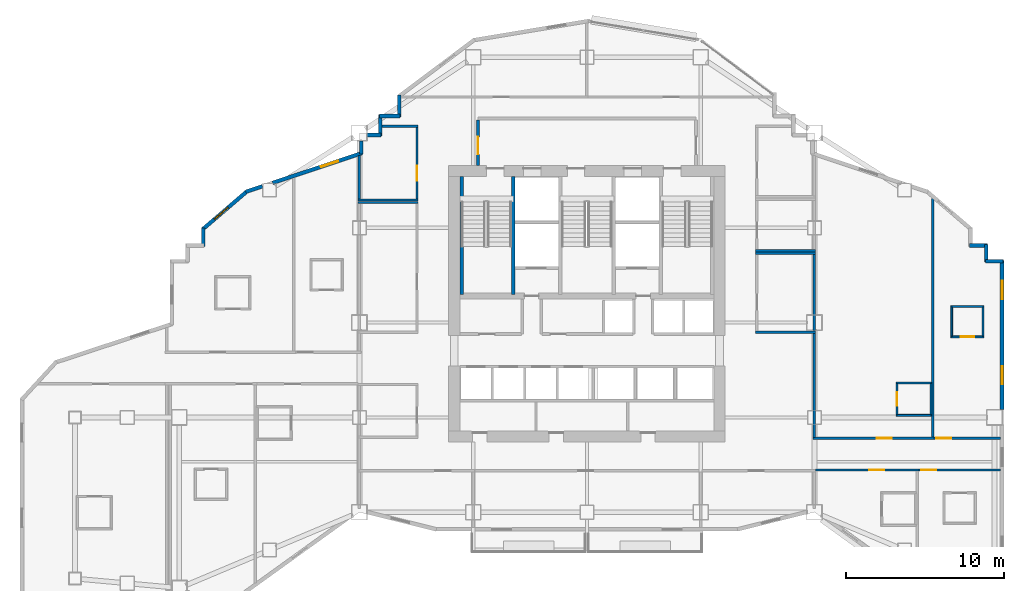
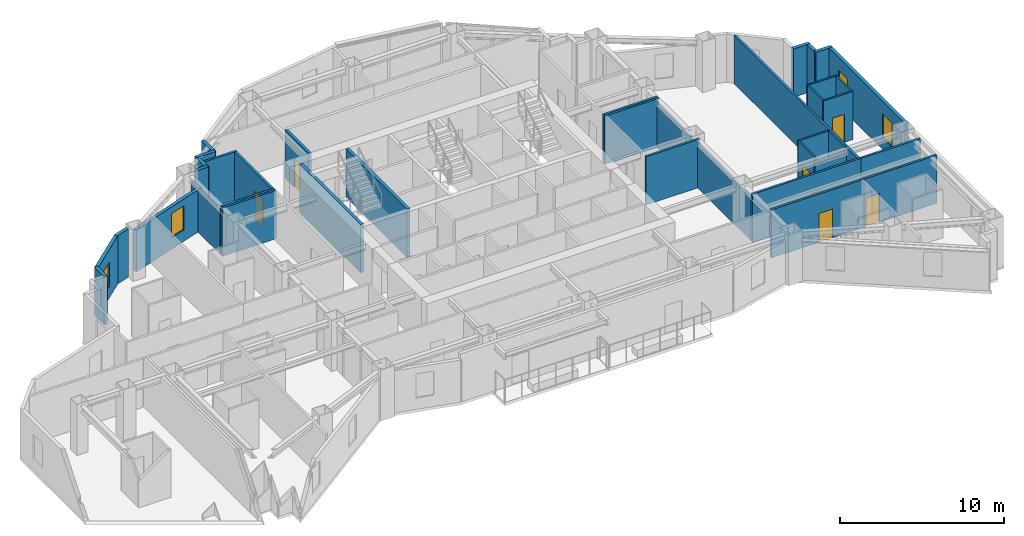
# One storey, part 8 of 14: 39 walls, 8 doors, 4 windows, 12 openings.
"""IFC4 building model written with IfcOpenShell, lengths in metres."""

from ifc_helpers import new_model, si_unit, direction, frame, frame_2d, origin, place, context, subcontext, project, spatial, rectangle, extrude, material, layer, layer_set, type_object, element, fill, save


model = new_model("IFC4")

# Units and contexts
model_context = context("Model", 3, precision=1e-05, world=origin(), true_north=direction((0.0, 1.0)))
body_context = subcontext(model_context, "Body", "Model", "MODEL_VIEW")
ifc_project = project(units=[si_unit("LENGTHUNIT", "METRE"), si_unit("AREAUNIT", "SQUARE_METRE"), si_unit("VOLUMEUNIT", "CUBIC_METRE"), si_unit("PLANEANGLEUNIT", "RADIAN"), si_unit("MASSUNIT", "GRAM", prefix="KILO")], contexts=[model_context])

# Site, building, storey
site_placement = place(None, origin())
site = spatial("IfcSite", under=ifc_project, at=site_placement, CompositionType="ELEMENT")
building_placement = place(site_placement, origin())
building = spatial("IfcBuilding", under=site, at=building_placement, Name="Haolan Belvedere Tower", CompositionType="ELEMENT")
storey_placement = place(building_placement, frame((0.0, 0.0, 109.800048828125)))
storey = spatial("IfcBuildingStorey", under=building, at=storey_placement, Name="L27", CompositionType="ELEMENT", Elevation=109.800048828125)

# Wall, openings, windows
ifc_material_1 = material(Name="Precast concrete C40/50", Category="concrete")
ifc_layer_1 = layer(ifc_material_1, 0.239990234375, Name="Precast concrete C40/50")
ifc_layer_set_1 = layer_set([ifc_layer_1], Name="Precast concrete C40/50")
wall_type_1 = type_object("IfcWallType", Name="WL-EXT-240", PredefinedType="SOLIDWALL", material=ifc_layer_set_1)
wall_1_placement = place(storey_placement, frame((64.679931640625, 28.092041015625, 0.0), z_axis=(0.0, 0.0, 1.0), x_axis=(0.0, 1.0, 0.0)))
wall_1 = element("IfcWall", 1, at=wall_1_placement, inside=storey, type_object=wall_type_1, Name="L27 pale-metal exterior spandrel wall 14.2", PredefinedType="SOLIDWALL", context=body_context, shape_type="SweptSolid", body=[
    extrude(rectangle(XDim=9.44287109375, YDim=0.239990234375, at=frame_2d((4.721435546875, 0.0))), origin(), (0.0, 0.0, 1.0), 3.599853515625),
])
opening_1_placement = place(wall_1_placement, frame((1.60009765625, 0.0, 0.85009765625)))
opening_1 = element("IfcOpeningElement", 2, at=opening_1_placement, cuts=wall_1, Name="Opening W-02", PredefinedType="OPENING", context=body_context, shape_type="SweptSolid", body=[
    extrude(rectangle(XDim=1.14990234375, YDim=1.800048828125, at=frame_2d((0.574951171875, 0.89990234375))), frame((0.0, 0.1298828125, 0.0), z_axis=(0.0, -1.0, 0.0), x_axis=(1.0, 0.0, 0.0)), (0.0, 0.0, 1.0), 0.260009765625),
])
opening_2_placement = place(wall_1_placement, frame((7.0, 0.0, 0.85009765625)))
opening_2 = element("IfcOpeningElement", 3, at=opening_2_placement, cuts=wall_1, Name="Opening W-02", PredefinedType="OPENING", context=body_context, shape_type="SweptSolid", body=[
    extrude(rectangle(XDim=1.14990234375, YDim=1.800048828125, at=frame_2d((0.574951171875, 0.89990234375))), frame((0.0, 0.1298828125, 0.0), z_axis=(0.0, -1.0, 0.0), x_axis=(1.0, 0.0, 0.0)), (0.0, 0.0, 1.0), 0.260009765625),
])
ifc_material_2 = material(Name="Anodised aluminium 6063-T6 and Low-E glass", Category="aluminium")
window_type = type_object("IfcWindowType", Name="WN-DECO-Z2", PartitioningType="SINGLE_PANEL", PredefinedType="WINDOW", material=ifc_material_2)
window_1_placement = place(opening_1_placement, origin())
window_1 = element("IfcWindow", 4, at=window_1_placement, inside=storey, type_object=window_type, Name="L27 Art Deco chevron window 1", OverallHeight=1.800048828125, OverallWidth=1.14990234375, PartitioningType="SINGLE_PANEL", PredefinedType="WINDOW", context=body_context, shape_type="SweptSolid", body=[
    extrude(rectangle(XDim=1.14990234375, YDim=1.800048828125, at=frame_2d((0.574951171875, 0.89990234375))), frame((0.0, 0.030029296875, 0.0), z_axis=(0.0, -1.0, 0.0), x_axis=(1.0, 0.0, 0.0)), (0.0, 0.0, 1.0), 0.06005859375),
])
fill(opening_1, window_1)
window_2_placement = place(opening_2_placement, origin())
window_2 = element("IfcWindow", 5, at=window_2_placement, inside=storey, type_object=window_type, Name="L27 Art Deco chevron window 2", OverallHeight=1.800048828125, OverallWidth=1.14990234375, PartitioningType="SINGLE_PANEL", PredefinedType="WINDOW", context=body_context, shape_type="SweptSolid", body=[
    extrude(rectangle(XDim=1.14990234375, YDim=1.800048828125, at=frame_2d((0.574951171875, 0.89990234375))), frame((0.0, 0.030029296875, 0.0), z_axis=(0.0, -1.0, 0.0), x_axis=(1.0, 0.0, 0.0)), (0.0, 0.0, 1.0), 0.06005859375),
])
fill(opening_2, window_2)

# Walls
wall_2_placement = place(storey_placement, frame((64.735107421875, 37.47998046875, 0.0), z_axis=(0.0, 0.0, 1.0), x_axis=(-1.0, 0.0, 0.0)))
element("IfcWall", 6, at=wall_2_placement, inside=storey, type_object=wall_type_1, Name="L27 pale-metal exterior spandrel wall 15.1", PredefinedType="SOLIDWALL", context=body_context, shape_type="SweptSolid", body=[
    extrude(rectangle(XDim=1.110107421875, YDim=0.239990234375, at=frame_2d((0.55517578125, 0.0))), origin(), (0.0, 0.0, 1.0), 3.599853515625),
])
wall_3_placement = place(storey_placement, frame((63.679931640625, 37.425048828125, 0.0), z_axis=(0.0, 0.0, 1.0), x_axis=(0.0, 1.0, 0.0)))
element("IfcWall", 7, at=wall_3_placement, inside=storey, type_object=wall_type_1, Name="L27 pale-metal exterior spandrel wall 16.1", PredefinedType="SOLIDWALL", context=body_context, shape_type="SweptSolid", body=[
    extrude(rectangle(XDim=1.10986328125, YDim=0.239990234375, at=frame_2d((0.554931640625, 0.0))), origin(), (0.0, 0.0, 1.0), 3.599853515625),
])
wall_4_placement = place(storey_placement, frame((63.735107421875, 38.47998046875, 0.0), z_axis=(0.0, 0.0, 1.0), x_axis=(-1.0, 0.0, 0.0)))
element("IfcWall", 8, at=wall_4_placement, inside=storey, type_object=wall_type_1, Name="L27 pale-metal exterior spandrel wall 17.1", PredefinedType="SOLIDWALL", context=body_context, shape_type="SweptSolid", body=[
    extrude(rectangle(XDim=1.110107421875, YDim=0.239990234375, at=frame_2d((0.55517578125, 0.0))), origin(), (0.0, 0.0, 1.0), 3.599853515625),
])
wall_5_placement = place(storey_placement, frame((26.52001953125, 47.9951171875, 0.0), z_axis=(0.0, 0.0, 1.0), x_axis=(0.0, -1.0, 0.0)))
element("IfcWall", 9, at=wall_5_placement, inside=storey, type_object=wall_type_1, Name="L27 pale-metal exterior spandrel wall 30.1", PredefinedType="SOLIDWALL", context=body_context, shape_type="SweptSolid", body=[
    extrude(rectangle(XDim=1.3701171875, YDim=0.239990234375, at=frame_2d((0.68505859375, 0.0))), origin(), (0.0, 0.0, 1.0), 3.599853515625),
])
for number, where, z_axis, x_axis, name in (
    (10, (26.574951171875, 46.679931640625, 0.0), (0.0, 0.0, 1.0), (-1.0, 0.0, 0.0), "L27 pale-metal exterior spandrel wall 31.1"),
    (11, (25.320068359375, 46.735107421875, 0.0), (0.0, 0.0, 1.0), (0.0, -1.0, 0.0), "L27 pale-metal exterior spandrel wall 32.1"),
):
    element("IfcWall", number, at=place(storey_placement, frame(where, z_axis=z_axis, x_axis=x_axis)), inside=storey, type_object=wall_type_1, Name=name, PredefinedType="SOLIDWALL", context=body_context, shape_type="SweptSolid", body=[
        extrude(rectangle(XDim=1.31005859375, YDim=0.239990234375, at=frame_2d((0.655029296875, 0.0))), origin(), (0.0, 0.0, 1.0), 3.599853515625),
    ])
wall_6_placement = place(storey_placement, frame((25.375, 45.47998046875, 0.0), z_axis=(0.0, 0.0, 1.0), x_axis=(-1.0, 0.0, 0.0)))
element("IfcWall", 12, at=wall_6_placement, inside=storey, type_object=wall_type_1, Name="L27 pale-metal exterior spandrel wall 33.1", PredefinedType="SOLIDWALL", context=body_context, shape_type="SweptSolid", body=[
    extrude(rectangle(XDim=0.883056640625, YDim=0.239990234375, at=frame_2d((0.44140625, 0.0))), origin(), (0.0, 0.0, 1.0), 3.599853515625),
])
wall_7_placement = place(storey_placement, frame((24.1201171875, 45.10791015625, 0.0), z_axis=(0.0, 0.0, 1.0), x_axis=(0.0, -1.0, 0.0)))
element("IfcWall", 13, at=wall_7_placement, inside=storey, type_object=wall_type_1, Name="L27 pale-metal exterior spandrel wall 34.1", PredefinedType="SOLIDWALL", context=body_context, shape_type="SweptSolid", body=[
    extrude(rectangle(XDim=0.849365234375, YDim=0.239990234375, at=frame_2d((0.4248046875, 0.0))), origin(), (0.0, 0.0, 1.0), 3.14501953125),
])

# Wall, opening, window
wall_8_placement = place(storey_placement, frame((24.172119140625, 44.330810546875, 0.0), z_axis=(0.0, 0.0, 1.0), x_axis=(-0.948683298051, -0.316227766017, 0.0)))
wall_8 = element("IfcWall", 14, at=wall_8_placement, inside=storey, type_object=wall_type_1, Name="L27 pale-metal exterior spandrel wall 35.1", PredefinedType="SOLIDWALL", context=body_context, shape_type="SweptSolid", body=[
    extrude(rectangle(XDim=5.973388671875, YDim=0.239990234375, at=frame_2d((2.98681640625, 0.0))), origin(), (0.0, 0.0, 1.0), 3.14501953125),
])
opening_3_placement = place(wall_8_placement, frame((1.60009765625, 0.0, 0.85009765625)))
opening_3 = element("IfcOpeningElement", 15, at=opening_3_placement, cuts=wall_8, Name="Opening W-02", PredefinedType="OPENING", context=body_context, shape_type="SweptSolid", body=[
    extrude(rectangle(XDim=1.14990234375, YDim=1.800048828125, at=frame_2d((0.574951171875, 0.89990234375))), frame((0.0, 0.1298828125, 0.0), z_axis=(0.0, -1.0, 0.0), x_axis=(1.0, 0.0, 0.0)), (0.0, 0.0, 1.0), 0.260009765625),
])
window_3_placement = place(opening_3_placement, origin())
window_3 = element("IfcWindow", 16, at=window_3_placement, inside=storey, type_object=window_type, Name="L27 Art Deco chevron window 1", OverallHeight=1.800048828125, OverallWidth=1.14990234375, PartitioningType="SINGLE_PANEL", PredefinedType="WINDOW", context=body_context, shape_type="SweptSolid", body=[
    extrude(rectangle(XDim=1.14990234375, YDim=1.800048828125, at=frame_2d((0.574951171875, 0.89990234375))), frame((0.0, 0.030029296875, 0.0), z_axis=(0.0, -1.0, 0.0), x_axis=(1.0, 0.0, 0.0)), (0.0, 0.0, 1.0), 0.06005859375),
])
fill(opening_3, window_3)

# Wall
wall_9_placement = place(storey_placement, frame((17.85791015625, 42.226318359375, 0.0), z_axis=(0.0, 0.0, 1.0), x_axis=(-0.948639166064, -0.316360131194, 0.0)))
element("IfcWall", 17, at=wall_9_placement, inside=storey, type_object=wall_type_1, Name="L27 pale-metal exterior spandrel wall 35.2", PredefinedType="SOLIDWALL", context=body_context, shape_type="SweptSolid", body=[
    extrude(rectangle(XDim=1.106689453125, YDim=0.239990234375, at=frame_2d((0.55322265625, 0.0))), origin(), (0.0, 0.0, 1.0), 3.599853515625),
])

# Wall, opening, window
wall_10_placement = place(storey_placement, frame((16.902099609375, 41.929443359375, 0.0), z_axis=(0.0, 0.0, 1.0), x_axis=(-0.759275136126, -0.650769750112, 0.0)))
wall_10 = element("IfcWall", 18, at=wall_10_placement, inside=storey, type_object=wall_type_1, Name="L27 pale-metal exterior spandrel wall 36.1", PredefinedType="SOLIDWALL", context=body_context, shape_type="SweptSolid", body=[
    extrude(rectangle(XDim=3.71923828125, YDim=0.239990234375, at=frame_2d((1.859619140625, 0.0))), origin(), (0.0, 0.0, 1.0), 3.599853515625),
])
opening_4_placement = place(wall_10_placement, frame((1.60009765625, 0.0, 0.85009765625)))
opening_4 = element("IfcOpeningElement", 19, at=opening_4_placement, cuts=wall_10, Name="Opening W-02", PredefinedType="OPENING", context=body_context, shape_type="SweptSolid", body=[
    extrude(rectangle(XDim=1.14990234375, YDim=1.800048828125, at=frame_2d((0.574951171875, 0.89990234375))), frame((0.0, 0.1298828125, 0.0), z_axis=(0.0, -1.0, 0.0), x_axis=(1.0, 0.0, 0.0)), (0.0, 0.0, 1.0), 0.260009765625),
])
window_4_placement = place(opening_4_placement, origin())
window_4 = element("IfcWindow", 20, at=window_4_placement, inside=storey, type_object=window_type, Name="L27 Art Deco chevron window 1", OverallHeight=1.800048828125, OverallWidth=1.14990234375, PartitioningType="SINGLE_PANEL", PredefinedType="WINDOW", context=body_context, shape_type="SweptSolid", body=[
    extrude(rectangle(XDim=1.14990234375, YDim=1.800048828125, at=frame_2d((0.574951171875, 0.89990234375))), frame((0.0, 0.030029296875, 0.0), z_axis=(0.0, -1.0, 0.0), x_axis=(1.0, 0.0, 0.0)), (0.0, 0.0, 1.0), 0.06005859375),
])
fill(opening_4, window_4)

# Wall
wall_11_placement = place(storey_placement, frame((14.1201171875, 39.599853515625, 0.0), z_axis=(0.0, 0.0, 1.0), x_axis=(0.0, -1.0, 0.0)))
element("IfcWall", 21, at=wall_11_placement, inside=storey, type_object=wall_type_1, Name="L27 pale-metal exterior spandrel wall 37.1", PredefinedType="SOLIDWALL", context=body_context, shape_type="SweptSolid", body=[
    extrude(rectangle(XDim=1.1748046875, YDim=0.239990234375, at=frame_2d((0.58740234375, 0.0))), origin(), (0.0, 0.0, 1.0), 3.599853515625),
])

# Wall, opening, door
ifc_material_3 = material(Name="Concrete C40/50", Category="concrete")
ifc_layer_2 = layer(ifc_material_3, 0.199951171875, Name="Concrete C40/50")
ifc_layer_set_2 = layer_set([ifc_layer_2], Name="Concrete C40/50")
wall_type_2 = type_object("IfcWallType", Name="WL-FIRE-200", PredefinedType="SOLIDWALL", material=ifc_layer_set_2)
wall_12_placement = place(storey_placement, frame((31.5, 43.550048828125, 0.0), z_axis=(0.0, 0.0, 1.0), x_axis=(0.0, 1.0, 0.0)))
wall_12 = element("IfcWall", 22, at=wall_12_placement, inside=storey, type_object=wall_type_2, Name="L27 interior partition IW-L27-FFL-W", PredefinedType="SOLIDWALL", context=body_context, shape_type="SweptSolid", body=[
    extrude(rectangle(XDim=2.885009765625, YDim=0.199951171875, at=frame_2d((1.4423828125, 0.0))), origin(), (0.0, 0.0, 1.0), 3.599853515625),
])
opening_5_placement = place(wall_12_placement, frame((1.800048828125, 0.0, 0.0), z_axis=(0.0, 0.0, 1.0), x_axis=(-1.0, 0.0, 0.0)))
opening_5 = element("IfcOpeningElement", 23, at=opening_5_placement, cuts=wall_12, Name="Opening FD-03", PredefinedType="OPENING", context=body_context, shape_type="SweptSolid", body=[
    extrude(rectangle(XDim=1.10009765625, YDim=2.14990234375, at=frame_2d((0.550048828125, 1.074951171875))), frame((0.0, 0.10986328125, 0.0), z_axis=(0.0, -1.0, 0.0), x_axis=(1.0, 0.0, 0.0)), (0.0, 0.0, 1.0), 0.219970703125),
])
ifc_material_4 = material(Name="Galvanised fire-rated steel", Category="steel")
door_type_1 = type_object("IfcDoorType", Name="DR-FD90-1100", OperationType="NOTDEFINED", PredefinedType="DOOR", material=ifc_material_4)
door_1_placement = place(opening_5_placement, origin())
door_1 = element("IfcDoor", 24, at=door_1_placement, inside=storey, type_object=door_type_1, Name="L27 door ID-L27-FFL-DW", OperationType="SINGLE_SWING_LEFT", OverallHeight=2.14990234375, OverallWidth=1.10009765625, PredefinedType="DOOR", context=body_context, shape_type="SweptSolid", body=[
    extrude(rectangle(XDim=1.10009765625, YDim=2.14990234375, at=frame_2d((0.550048828125, 1.074951171875))), frame((0.0, 0.02490234375, 0.0), z_axis=(0.0, -1.0, 0.0), x_axis=(1.0, 0.0, 0.0)), (0.0, 0.0, 1.0), 0.050048828125),
])
fill(opening_5, door_1)

# Walls
ifc_material_5 = material(Name="Double gypsum acoustic stud partition", Category="masonry")
ifc_layer_3 = layer(ifc_material_5, 0.14990234375, Name="Double gypsum acoustic stud partition")
ifc_layer_set_3 = layer_set([ifc_layer_3], Name="Double gypsum acoustic stud partition")
wall_type_3 = type_object("IfcWallType", Name="WL-PART-150", PredefinedType="PARTITIONING", material=ifc_layer_set_3)
wall_13_placement = place(storey_placement, frame((23.919921875, 41.199951171875, 0.0), z_axis=(0.0, 0.0, 1.0), x_axis=(1.0, 0.0, 0.0)))
element("IfcWall", 25, at=wall_13_placement, inside=storey, type_object=wall_type_3, Name="L27 interior partition IW-L27-SAL-N", PredefinedType="PARTITIONING", context=body_context, shape_type="SweptSolid", body=[
    extrude(rectangle(XDim=3.800048828125, YDim=0.14990234375, at=frame_2d((1.89990234375, 0.0))), origin(), (0.0, 0.0, 1.0), 3.599853515625),
])
wall_14_placement = place(storey_placement, frame((25.425048828125, 46.02001953125, 0.0), z_axis=(0.0, 0.0, 1.0), x_axis=(1.0, 0.0, 0.0)))
element("IfcWall", 26, at=wall_14_placement, inside=storey, type_object=wall_type_3, Name="L27 interior partition IW-L27-HSK-N", PredefinedType="PARTITIONING", context=body_context, shape_type="SweptSolid", body=[
    extrude(rectangle(XDim=2.294921875, YDim=0.14990234375, at=frame_2d((1.1474609375, 0.0))), origin(), (0.0, 0.0, 1.0), 3.599853515625),
])
wall_15_placement = place(storey_placement, frame((23.919921875, 41.360107421875, 0.0), z_axis=(0.0, 0.0, 1.0), x_axis=(1.0, 0.0, 0.0)))
element("IfcWall", 27, at=wall_15_placement, inside=storey, type_object=wall_type_3, Name="L27 interior partition IW-L27-HSK-S", PredefinedType="PARTITIONING", context=body_context, shape_type="SweptSolid", body=[
    extrude(rectangle(XDim=3.800048828125, YDim=0.14990234375, at=frame_2d((1.89990234375, 0.0))), origin(), (0.0, 0.0, 1.0), 3.599853515625),
])
wall_16_placement = place(storey_placement, frame((24.0, 41.419921875, 0.0), z_axis=(0.0, 0.0, 1.0), x_axis=(0.0, 1.0, 0.0)))
element("IfcWall", 28, at=wall_16_placement, inside=storey, type_object=wall_type_3, Name="L27 interior partition IW-L27-HSK-W", PredefinedType="PARTITIONING", context=body_context, shape_type="SweptSolid", body=[
    extrude(rectangle(XDim=2.742919921875, YDim=0.14990234375, at=frame_2d((1.37158203125, 0.0))), origin(), (0.0, 0.0, 1.0), 3.14501953125),
])

# Wall, opening, door
wall_17_placement = place(storey_placement, frame((27.639892578125, 41.419921875, 0.0), z_axis=(0.0, 0.0, 1.0), x_axis=(0.0, 1.0, 0.0)))
wall_17 = element("IfcWall", 29, at=wall_17_placement, inside=storey, type_object=wall_type_3, Name="L27 interior partition IW-L27-HSK-E", PredefinedType="PARTITIONING", context=body_context, shape_type="SweptSolid", body=[
    extrude(rectangle(XDim=4.5400390625, YDim=0.14990234375, at=frame_2d((2.27001953125, 0.0))), origin(), (0.0, 0.0, 1.0), 3.599853515625),
])
opening_6_placement = place(wall_17_placement, frame((2.10986328125, 0.0, 0.0), z_axis=(0.0, 0.0, 1.0), x_axis=(-1.0, 0.0, 0.0)))
opening_6 = element("IfcOpeningElement", 30, at=opening_6_placement, cuts=wall_17, Name="Opening ID-03", PredefinedType="OPENING", context=body_context, shape_type="SweptSolid", body=[
    extrude(rectangle(XDim=0.949951171875, YDim=2.1201171875, at=frame_2d((0.47509765625, 1.06005859375))), frame((0.0, 0.0849609375, 0.0), z_axis=(0.0, -1.0, 0.0), x_axis=(1.0, 0.0, 0.0)), (0.0, 0.0, 1.0), 0.169921875),
])
ifc_material_6 = material(Name="Painted solid-core timber", Category="wood")
door_type_2 = type_object("IfcDoorType", Name="DR-INT-950", OperationType="NOTDEFINED", PredefinedType="DOOR", material=ifc_material_6)
door_2_placement = place(opening_6_placement, origin())
door_2 = element("IfcDoor", 31, at=door_2_placement, inside=storey, type_object=door_type_2, Name="L27 door ID-L27-HSK", OperationType="SINGLE_SWING_RIGHT", OverallHeight=2.1201171875, OverallWidth=0.949951171875, PredefinedType="DOOR", context=body_context, shape_type="SweptSolid", body=[
    extrude(rectangle(XDim=0.949951171875, YDim=2.1201171875, at=frame_2d((0.47509765625, 1.06005859375))), frame((0.0, 0.02490234375, 0.0), z_axis=(0.0, -1.0, 0.0), x_axis=(1.0, 0.0, 0.0)), (0.0, 0.0, 1.0), 0.050048828125),
])
fill(opening_6, door_2)

# Walls
for number, where, z_axis, x_axis, name in (
    (32, (49.080078125, 38.0, 0.0), (0.0, 0.0, 1.0), (1.0, 0.0, 0.0), "L27 interior partition IW-L27-BPN-N"),
    (33, (49.080078125, 33.0, 0.0), (0.0, 0.0, 1.0), (1.0, 0.0, 0.0), "L27 interior partition IW-L27-BPN-S"),
):
    element("IfcWall", number, at=place(storey_placement, frame(where, z_axis=z_axis, x_axis=x_axis)), inside=storey, type_object=wall_type_3, Name=name, PredefinedType="PARTITIONING", context=body_context, shape_type="SweptSolid", body=[
        extrude(rectangle(XDim=3.7998046875, YDim=0.14990234375, at=frame_2d((1.89990234375, 0.0))), origin(), (0.0, 0.0, 1.0), 3.599853515625),
    ])
wall_18_placement = place(storey_placement, frame((52.800048828125, 33.06005859375, 0.0), z_axis=(0.0, 0.0, 1.0), x_axis=(0.0, 1.0, 0.0)))
element("IfcWall", 34, at=wall_18_placement, inside=storey, type_object=wall_type_3, Name="L27 interior partition IW-L27-BPN-E", PredefinedType="PARTITIONING", context=body_context, shape_type="SweptSolid", body=[
    extrude(rectangle(XDim=4.8798828125, YDim=0.14990234375, at=frame_2d((2.43994140625, 0.0))), origin(), (0.0, 0.0, 1.0), 3.14501953125),
])
wall_19_placement = place(storey_placement, frame((49.080078125, 38.159912109375, 0.0), z_axis=(0.0, 0.0, 1.0), x_axis=(1.0, 0.0, 0.0)))
element("IfcWall", 35, at=wall_19_placement, inside=storey, type_object=wall_type_3, Name="L27 interior partition IW-L27-AWC-S", PredefinedType="PARTITIONING", context=body_context, shape_type="SweptSolid", body=[
    extrude(rectangle(XDim=3.7998046875, YDim=0.14990234375, at=frame_2d((1.89990234375, 0.0))), origin(), (0.0, 0.0, 1.0), 3.599853515625),
])

# Wall, opening, door
wall_20_placement = place(storey_placement, frame((52.699951171875, 26.280029296875, 0.0), z_axis=(0.0, 0.0, 1.0), x_axis=(1.0, 0.0, 0.0)))
wall_20 = element("IfcWall", 36, at=wall_20_placement, inside=storey, type_object=wall_type_3, Name="L27 interior partition IW-L27-T4N1-S", PredefinedType="PARTITIONING", context=body_context, shape_type="SweptSolid", body=[
    extrude(rectangle(XDim=7.679931640625, YDim=0.14990234375, at=frame_2d((3.83984375, 0.0))), origin(), (0.0, 0.0, 1.0), 3.599853515625),
])
opening_7_placement = place(wall_20_placement, frame((4.047607421875, 0.0, 0.0)))
opening_7 = element("IfcOpeningElement", 37, at=opening_7_placement, cuts=wall_20, Name="Opening ID-01", PredefinedType="OPENING", context=body_context, shape_type="SweptSolid", body=[
    extrude(rectangle(XDim=0.949951171875, YDim=2.179931640625, at=frame_2d((0.47509765625, 1.08984375))), frame((0.0, 0.0849609375, 0.0), z_axis=(0.0, -1.0, 0.0), x_axis=(1.0, 0.0, 0.0)), (0.0, 0.0, 1.0), 0.169921875),
])
ifc_material_7 = material(Name="Acoustic walnut veneer fire-rated timber", Category="wood")
door_type_3 = type_object("IfcDoorType", Name="DR-SUITE-950", OperationType="NOTDEFINED", PredefinedType="DOOR", material=ifc_material_7)
door_3_placement = place(opening_7_placement, origin())
door_3 = element("IfcDoor", 38, at=door_3_placement, inside=storey, type_object=door_type_3, Name="L27 door ID-L27-T4N1-ENT", OperationType="SINGLE_SWING_RIGHT", OverallHeight=2.179931640625, OverallWidth=0.949951171875, PredefinedType="DOOR", context=body_context, shape_type="SweptSolid", body=[
    extrude(rectangle(XDim=0.949951171875, YDim=2.179931640625, at=frame_2d((0.47509765625, 1.08984375))), frame((0.0, 0.02490234375, 0.0), z_axis=(0.0, -1.0, 0.0), x_axis=(1.0, 0.0, 0.0)), (0.0, 0.0, 1.0), 0.050048828125),
])
fill(opening_7, door_3)

# Walls
wall_21_placement = place(storey_placement, frame((52.800048828125, 26.340087890625, 0.0), z_axis=(0.0, 0.0, 1.0), x_axis=(0.0, 1.0, 0.0)))
element("IfcWall", 39, at=wall_21_placement, inside=storey, type_object=wall_type_3, Name="L27 interior partition IW-L27-T4N1-W", PredefinedType="PARTITIONING", context=body_context, shape_type="SweptSolid", body=[
    extrude(rectangle(XDim=6.599853515625, YDim=0.14990234375, at=frame_2d((3.2998046875, 0.0))), origin(), (0.0, 0.0, 1.0), 3.14501953125),
])
wall_22_placement = place(storey_placement, frame((60.280029296875, 26.340087890625, 0.0), z_axis=(0.0, 0.0, 1.0), x_axis=(0.0, 1.0, 0.0)))
element("IfcWall", 40, at=wall_22_placement, inside=storey, type_object=wall_type_3, Name="L27 interior partition IW-L27-T4N1-E", PredefinedType="PARTITIONING", context=body_context, shape_type="SweptSolid", body=[
    extrude(rectangle(XDim=15.12353515625, YDim=0.14990234375, at=frame_2d((7.561767578125, 0.0))), origin(), (0.0, 0.0, 1.0), 3.599853515625),
])

# Wall, opening, door
wall_23_placement = place(storey_placement, frame((60.382080078125, 26.280029296875, 0.0), z_axis=(0.0, 0.0, 1.0), x_axis=(1.0, 0.0, 0.0)))
wall_23 = element("IfcWall", 41, at=wall_23_placement, inside=storey, type_object=wall_type_3, Name="L27 interior partition IW-L27-T4N2-S", PredefinedType="PARTITIONING", context=body_context, shape_type="SweptSolid", body=[
    extrude(rectangle(XDim=4.19287109375, YDim=0.14990234375, at=frame_2d((2.096435546875, 0.0))), origin(), (0.0, 0.0, 1.0), 3.599853515625),
])
opening_8_placement = place(wall_23_placement, frame((0.139892578125, 0.0, 0.0)))
opening_8 = element("IfcOpeningElement", 42, at=opening_8_placement, cuts=wall_23, Name="Opening ID-02", PredefinedType="OPENING", context=body_context, shape_type="SweptSolid", body=[
    extrude(rectangle(XDim=0.949951171875, YDim=2.14990234375, at=frame_2d((0.47509765625, 1.074951171875))), frame((0.0, 0.0849609375, 0.0), z_axis=(0.0, -1.0, 0.0), x_axis=(1.0, 0.0, 0.0)), (0.0, 0.0, 1.0), 0.169921875),
])
ifc_material_8 = material(Name="Acoustic oak veneer fire-rated timber", Category="wood")
door_type_4 = type_object("IfcDoorType", Name="DR-GUEST-950", OperationType="NOTDEFINED", PredefinedType="DOOR", material=ifc_material_8)
door_4_placement = place(opening_8_placement, origin())
door_4 = element("IfcDoor", 43, at=door_4_placement, inside=storey, type_object=door_type_4, Name="L27 door ID-L27-T4N2-ENT", OperationType="SINGLE_SWING_LEFT", OverallHeight=2.14990234375, OverallWidth=0.949951171875, PredefinedType="DOOR", context=body_context, shape_type="SweptSolid", body=[
    extrude(rectangle(XDim=0.949951171875, YDim=2.14990234375, at=frame_2d((0.47509765625, 1.074951171875))), frame((0.0, 0.02490234375, 0.0), z_axis=(0.0, -1.0, 0.0), x_axis=(1.0, 0.0, 0.0)), (0.0, 0.0, 1.0), 0.050048828125),
])
fill(opening_8, door_4)

wall_24_placement = place(storey_placement, frame((52.882080078125, 24.27001953125, 0.0), z_axis=(0.0, 0.0, 1.0), x_axis=(1.0, 0.0, 0.0)))
wall_24 = element("IfcWall", 44, at=wall_24_placement, inside=storey, type_object=wall_type_3, Name="L27 interior partition IW-L27-T4S1-N", PredefinedType="PARTITIONING", context=body_context, shape_type="SweptSolid", body=[
    extrude(rectangle(XDim=6.537841796875, YDim=0.14990234375, at=frame_2d((3.26904296875, 0.0))), origin(), (0.0, 0.0, 1.0), 3.599853515625),
])
opening_9_placement = place(wall_24_placement, frame((4.3291015625, 0.0, 0.0), z_axis=(0.0, 0.0, 1.0), x_axis=(-1.0, 0.0, 0.0)))
opening_9 = element("IfcOpeningElement", 45, at=opening_9_placement, cuts=wall_24, Name="Opening ID-02", PredefinedType="OPENING", context=body_context, shape_type="SweptSolid", body=[
    extrude(rectangle(XDim=0.949951171875, YDim=2.14990234375, at=frame_2d((0.47509765625, 1.074951171875))), frame((0.0, 0.0849609375, 0.0), z_axis=(0.0, -1.0, 0.0), x_axis=(1.0, 0.0, 0.0)), (0.0, 0.0, 1.0), 0.169921875),
])
door_5_placement = place(opening_9_placement, origin())
door_5 = element("IfcDoor", 46, at=door_5_placement, inside=storey, type_object=door_type_4, Name="L27 door ID-L27-T4S1-ENT", OperationType="SINGLE_SWING_RIGHT", OverallHeight=2.14990234375, OverallWidth=0.949951171875, PredefinedType="DOOR", context=body_context, shape_type="SweptSolid", body=[
    extrude(rectangle(XDim=0.949951171875, YDim=2.14990234375, at=frame_2d((0.47509765625, 1.074951171875))), frame((0.0, 0.02490234375, 0.0), z_axis=(0.0, -1.0, 0.0), x_axis=(1.0, 0.0, 0.0)), (0.0, 0.0, 1.0), 0.050048828125),
])
fill(opening_9, door_5)

wall_25_placement = place(storey_placement, frame((59.422119140625, 24.27001953125, 0.0), z_axis=(0.0, 0.0, 1.0), x_axis=(1.0, 0.0, 0.0)))
wall_25 = element("IfcWall", 47, at=wall_25_placement, inside=storey, type_object=wall_type_3, Name="L27 interior partition IW-L27-T4S2-N", PredefinedType="PARTITIONING", context=body_context, shape_type="SweptSolid", body=[
    extrude(rectangle(XDim=5.15283203125, YDim=0.14990234375, at=frame_2d((2.576416015625, 0.0))), origin(), (0.0, 0.0, 1.0), 3.599853515625),
])
opening_10_placement = place(wall_25_placement, frame((1.08984375, 0.0, 0.0), z_axis=(0.0, 0.0, 1.0), x_axis=(-1.0, 0.0, 0.0)))
opening_10 = element("IfcOpeningElement", 48, at=opening_10_placement, cuts=wall_25, Name="Opening ID-02", PredefinedType="OPENING", context=body_context, shape_type="SweptSolid", body=[
    extrude(rectangle(XDim=0.949951171875, YDim=2.14990234375, at=frame_2d((0.47509765625, 1.074951171875))), frame((0.0, 0.0849609375, 0.0), z_axis=(0.0, -1.0, 0.0), x_axis=(1.0, 0.0, 0.0)), (0.0, 0.0, 1.0), 0.169921875),
])
door_6_placement = place(opening_10_placement, origin())
door_6 = element("IfcDoor", 49, at=door_6_placement, inside=storey, type_object=door_type_4, Name="L27 door ID-L27-T4S2-ENT", OperationType="SINGLE_SWING_LEFT", OverallHeight=2.14990234375, OverallWidth=0.949951171875, PredefinedType="DOOR", context=body_context, shape_type="SweptSolid", body=[
    extrude(rectangle(XDim=0.949951171875, YDim=2.14990234375, at=frame_2d((0.47509765625, 1.074951171875))), frame((0.0, 0.02490234375, 0.0), z_axis=(0.0, -1.0, 0.0), x_axis=(1.0, 0.0, 0.0)), (0.0, 0.0, 1.0), 0.050048828125),
])
fill(opening_10, door_6)

# Walls
ifc_material_9 = material(Name="Concrete C50/60", Category="concrete")
ifc_layer_4 = layer(ifc_material_9, 0.219970703125, Name="Concrete C50/60")
ifc_layer_set_4 = layer_set([ifc_layer_4], Name="Concrete C50/60")
wall_type_4 = type_object("IfcWallType", Name="WL-STAIR-220", PredefinedType="SHEAR", material=ifc_layer_set_4)
for number, where, z_axis, x_axis, name in (
    (50, (30.4619140625, 35.389892578125, 0.0), (0.0, 0.0, 1.0), (0.0, 1.0, 0.0), "L27 structural stair core wall ST1W"),
    (51, (33.739990234375, 35.389892578125, 0.0), (0.0, 0.0, 1.0), (0.0, 1.0, 0.0), "L27 structural stair core wall ST1E"),
):
    element("IfcWall", number, at=place(storey_placement, frame(where, z_axis=z_axis, x_axis=x_axis)), inside=storey, type_object=wall_type_4, Name=name, PredefinedType="SHEAR", context=body_context, shape_type="SweptSolid", body=[
        extrude(rectangle(XDim=7.460205078125, YDim=0.219970703125, at=frame_2d((3.72998046875, 0.0))), origin(), (0.0, 0.0, 1.0), 3.599853515625),
    ])
ifc_material_10 = material(Name="Moisture-resistant gypsum tile partition", Category="masonry")
ifc_layer_5 = layer(ifc_material_10, 0.1201171875, Name="Moisture-resistant gypsum tile partition")
ifc_layer_set_5 = layer_set([ifc_layer_5], Name="Moisture-resistant gypsum tile partition")
wall_type_5 = type_object("IfcWallType", Name="WL-WET-120", PredefinedType="PARTITIONING", material=ifc_layer_set_5)
wall_26_placement = place(storey_placement, frame((57.969970703125, 29.780029296875, 0.0), z_axis=(0.0, 0.0, 1.0), x_axis=(1.0, 0.0, 0.0)))
element("IfcWall", 52, at=wall_26_placement, inside=storey, type_object=wall_type_5, Name="L27 interior partition IW-L27-T4N1-BN", PredefinedType="PARTITIONING", context=body_context, shape_type="SweptSolid", body=[
    extrude(rectangle(XDim=2.25, YDim=0.1201171875, at=frame_2d((1.125, 0.0))), origin(), (0.0, 0.0, 1.0), 3.599853515625),
])
wall_27_placement = place(storey_placement, frame((57.969970703125, 27.72998046875, 0.0), z_axis=(0.0, 0.0, 1.0), x_axis=(1.0, 0.0, 0.0)))
element("IfcWall", 53, at=wall_27_placement, inside=storey, type_object=wall_type_5, Name="L27 interior partition IW-L27-T4N1-BS", PredefinedType="PARTITIONING", context=body_context, shape_type="SweptSolid", body=[
    extrude(rectangle(XDim=2.25, YDim=0.1201171875, at=frame_2d((1.125, 0.0))), origin(), (0.0, 0.0, 1.0), 3.14501953125),
])

# Wall, opening, door
wall_28_placement = place(storey_placement, frame((58.030029296875, 27.77490234375, 0.0), z_axis=(0.0, 0.0, 1.0), x_axis=(0.0, 1.0, 0.0)))
wall_28 = element("IfcWall", 54, at=wall_28_placement, inside=storey, type_object=wall_type_5, Name="L27 interior partition IW-L27-T4N1-BW", PredefinedType="PARTITIONING", context=body_context, shape_type="SweptSolid", body=[
    extrude(rectangle(XDim=1.960205078125, YDim=0.1201171875, at=frame_2d((0.97998046875, 0.0))), origin(), (0.0, 0.0, 1.0), 3.599853515625),
])
opening_11_placement = place(wall_28_placement, frame((1.405029296875, 0.0, 0.0), z_axis=(0.0, 0.0, 1.0), x_axis=(-1.0, 0.0, 0.0)))
opening_11 = element("IfcOpeningElement", 55, at=opening_11_placement, cuts=wall_28, Name="Opening ID-05", PredefinedType="OPENING", context=body_context, shape_type="SweptSolid", body=[
    extrude(rectangle(XDim=0.85009765625, YDim=2.10009765625, at=frame_2d((0.425048828125, 1.050048828125))), frame((0.0, 0.070068359375, 0.0), z_axis=(0.0, -1.0, 0.0), x_axis=(1.0, 0.0, 0.0)), (0.0, 0.0, 1.0), 0.14013671875),
])
ifc_material_11 = material(Name="Moisture-resistant lacquered timber", Category="wood")
door_type_5 = type_object("IfcDoorType", Name="DR-BATH-850", OperationType="NOTDEFINED", PredefinedType="DOOR", material=ifc_material_11)
door_7_placement = place(opening_11_placement, origin())
door_7 = element("IfcDoor", 56, at=door_7_placement, inside=storey, type_object=door_type_5, Name="L27 door ID-L27-T4N1-BATH", OperationType="SINGLE_SWING_LEFT", OverallHeight=2.10009765625, OverallWidth=0.85009765625, PredefinedType="DOOR", context=body_context, shape_type="SweptSolid", body=[
    extrude(rectangle(XDim=0.85009765625, YDim=2.10009765625, at=frame_2d((0.425048828125, 1.050048828125))), frame((0.0, 0.02490234375, 0.0), z_axis=(0.0, -1.0, 0.0), x_axis=(1.0, 0.0, 0.0)), (0.0, 0.0, 1.0), 0.050048828125),
])
fill(opening_11, door_7)

# Walls
wall_29_placement = place(storey_placement, frame((60.179931640625, 27.77490234375, 0.0), z_axis=(0.0, 0.0, 1.0), x_axis=(0.0, 1.0, 0.0)))
element("IfcWall", 57, at=wall_29_placement, inside=storey, type_object=wall_type_5, Name="L27 interior partition IW-L27-T4N1-BE", PredefinedType="PARTITIONING", context=body_context, shape_type="SweptSolid", body=[
    extrude(rectangle(XDim=1.960205078125, YDim=0.1201171875, at=frame_2d((0.97998046875, 0.0))), origin(), (0.0, 0.0, 1.0), 3.599853515625),
])
wall_30_placement = place(storey_placement, frame((61.431884765625, 34.6201171875, 0.0), z_axis=(0.0, 0.0, 1.0), x_axis=(1.0, 0.0, 0.0)))
element("IfcWall", 58, at=wall_30_placement, inside=storey, type_object=wall_type_5, Name="L27 interior partition IW-L27-T4N2-BN", PredefinedType="PARTITIONING", context=body_context, shape_type="SweptSolid", body=[
    extrude(rectangle(XDim=2.10009765625, YDim=0.1201171875, at=frame_2d((1.050048828125, 0.0))), origin(), (0.0, 0.0, 1.0), 3.599853515625),
])

# Wall, opening, door
wall_31_placement = place(storey_placement, frame((61.431884765625, 32.699951171875, 0.0), z_axis=(0.0, 0.0, 1.0), x_axis=(1.0, 0.0, 0.0)))
wall_31 = element("IfcWall", 59, at=wall_31_placement, inside=storey, type_object=wall_type_5, Name="L27 interior partition IW-L27-T4N2-BS", PredefinedType="PARTITIONING", context=body_context, shape_type="SweptSolid", body=[
    extrude(rectangle(XDim=2.10009765625, YDim=0.1201171875, at=frame_2d((1.050048828125, 0.0))), origin(), (0.0, 0.0, 1.0), 3.599853515625),
])
opening_12_placement = place(wall_31_placement, frame((0.625, 0.0, 0.0)))
opening_12 = element("IfcOpeningElement", 60, at=opening_12_placement, cuts=wall_31, Name="Opening ID-05", PredefinedType="OPENING", context=body_context, shape_type="SweptSolid", body=[
    extrude(rectangle(XDim=0.85009765625, YDim=2.10009765625, at=frame_2d((0.425048828125, 1.050048828125))), frame((0.0, 0.070068359375, 0.0), z_axis=(0.0, -1.0, 0.0), x_axis=(1.0, 0.0, 0.0)), (0.0, 0.0, 1.0), 0.14013671875),
])
door_8_placement = place(opening_12_placement, origin())
door_8 = element("IfcDoor", 61, at=door_8_placement, inside=storey, type_object=door_type_5, Name="L27 door ID-L27-T4N2-BATH", OperationType="SINGLE_SWING_RIGHT", OverallHeight=2.10009765625, OverallWidth=0.85009765625, PredefinedType="DOOR", context=body_context, shape_type="SweptSolid", body=[
    extrude(rectangle(XDim=0.85009765625, YDim=2.10009765625, at=frame_2d((0.425048828125, 1.050048828125))), frame((0.0, 0.02490234375, 0.0), z_axis=(0.0, -1.0, 0.0), x_axis=(1.0, 0.0, 0.0)), (0.0, 0.0, 1.0), 0.050048828125),
])
fill(opening_12, door_8)

# Walls
for number, where, z_axis, x_axis, name in (
    (62, (61.491943359375, 32.7451171875, 0.0), (0.0, 0.0, 1.0), (0.0, 1.0, 0.0), "L27 interior partition IW-L27-T4N2-BW"),
    (63, (63.471923828125, 32.7451171875, 0.0), (0.0, 0.0, 1.0), (0.0, 1.0, 0.0), "L27 interior partition IW-L27-T4N2-BE"),
):
    element("IfcWall", number, at=place(storey_placement, frame(where, z_axis=z_axis, x_axis=x_axis)), inside=storey, type_object=wall_type_5, Name=name, PredefinedType="PARTITIONING", context=body_context, shape_type="SweptSolid", body=[
        extrude(rectangle(XDim=1.829833984375, YDim=0.1201171875, at=frame_2d((0.9150390625, 0.0))), origin(), (0.0, 0.0, 1.0), 3.599853515625),
    ])

save(model, "model.ifc")
